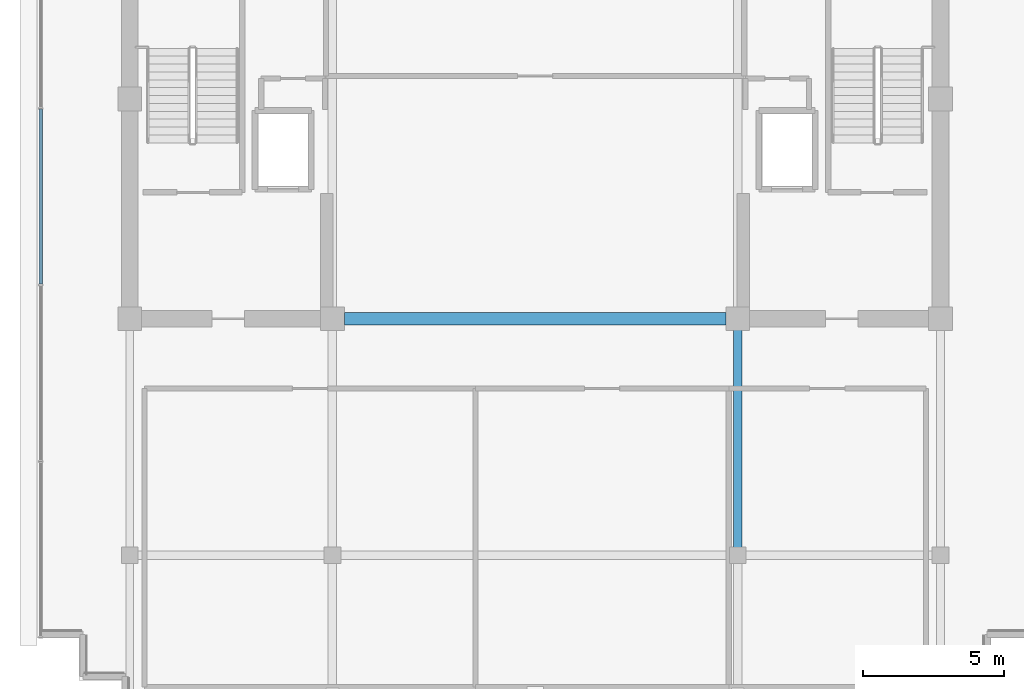
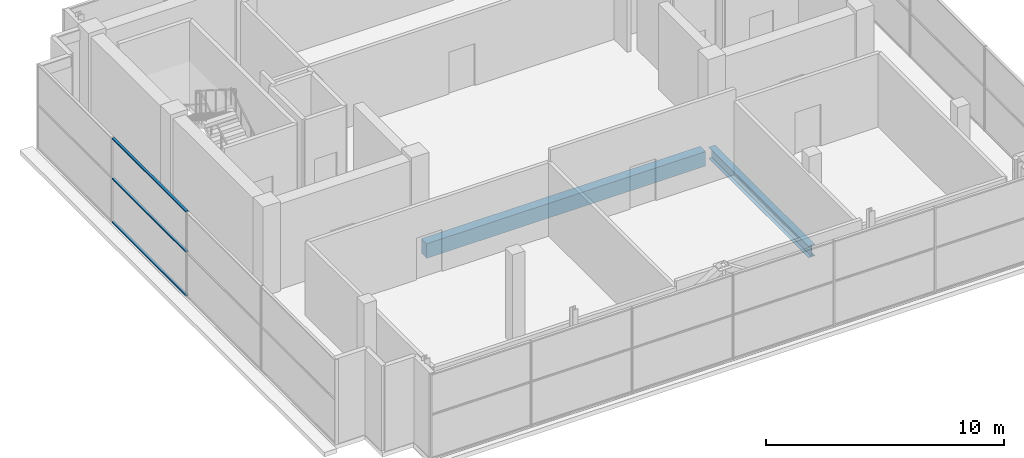
# One storey, part 12 of 27: 3 members, 2 beams, 1 element without a shape of its own.
"""IFC4 building model written with IfcOpenShell, lengths in metres."""

from ifc_helpers import new_model, si_unit, direction, frame, origin, origin_2d, place, context, subcontext, project, spatial, rectangle, hollow_rectangle, i_section, extrude, source, transform, mapped, material, layer, layer_set, material_profile, profile_set, type_object, element, aggregate, save


model = new_model("IFC4")

# Units and contexts
model_context = context("Model", 3, precision=1e-05, world=origin(), true_north=direction((0.0, 1.0)))
body_context = subcontext(model_context, "Body", "Model", "MODEL_VIEW")
ifc_project = project(units=[si_unit("LENGTHUNIT", "METRE"), si_unit("AREAUNIT", "SQUARE_METRE"), si_unit("VOLUMEUNIT", "CUBIC_METRE"), si_unit("PLANEANGLEUNIT", "RADIAN"), si_unit("MASSUNIT", "GRAM", prefix="KILO")], contexts=[model_context])

# Site, building, storey
site_placement = place(None, origin())
site = spatial("IfcSite", under=ifc_project, at=site_placement, CompositionType="ELEMENT")
building_placement = place(site_placement, origin())
building = spatial("IfcBuilding", under=site, at=building_placement, Name="Zarnakvel Exchange Tower", CompositionType="ELEMENT")
storey_placement = place(building_placement, frame((0.0, 0.0, 294.60009765625)))
storey = spatial("IfcBuildingStorey", under=building, at=storey_placement, Name="Crown L82", CompositionType="ELEMENT", Elevation=294.60009765625)

# Beams
ifc_material_1 = material(Name="Concrete C50/60", Category="concrete")
ifc_material_profile_1 = material_profile(ifc_material_1, rectangle(XDim=0.449951171875, YDim=0.75, at=origin_2d()))
ifc_profile_set_1 = profile_set([ifc_material_profile_1], Name="Concrete C50/60")
beam_type_1 = type_object("IfcBeamType", Name="CB-03", PredefinedType="LINTEL", material=ifc_profile_set_1)
beam_1_placement = place(storey_placement, frame((-6.77490234375, -1.199951171875, -0.59521484375), z_axis=(1.0, 0.0, 0.0), x_axis=(0.0, 1.0, 0.0)))
element("IfcBeam", 1, at=beam_1_placement, inside=storey, type_object=beam_type_1, Name="Crown L82 Rear Core South Coupling Beam (CB-03)", PredefinedType="LINTEL", context=body_context, shape_type="SweptSolid", body=[
    extrude(rectangle(XDim=0.449951171875, YDim=0.75, at=origin_2d()), origin(), (0.0, 0.0, 1.0), 13.5498046875),
])
ifc_material_2 = material(Name="Steel S355", Category="steel")
ifc_material_profile_2 = material_profile(ifc_material_2, i_section(OverallWidth=0.300048828125, OverallDepth=0.60009765625, WebThickness=0.015380859375, FlangeThickness=0.030029296875, FilletRadius=0.027099609375, at=origin_2d()))
ifc_profile_set_2 = profile_set([ifc_material_profile_2], Name="Steel S355")
beam_type_2 = type_object("IfcBeamType", Name="G-04", PredefinedType="BEAM", material=ifc_profile_set_2)
beam_2_placement = place(storey_placement, frame((7.199951171875, -9.60009765625, -0.52001953125), z_axis=(0.0, 1.0, 0.0), x_axis=(-1.0, 0.0, 0.0)))
element("IfcBeam", 2, at=beam_2_placement, inside=storey, type_object=beam_type_2, Name="Crown L82 Tower N-S Frame Beam", PredefinedType="BEAM", context=body_context, shape_type="SweptSolid", body=[
    extrude(i_section(OverallWidth=0.300048828125, OverallDepth=0.60009765625, WebThickness=0.015380859375, FlangeThickness=0.030029296875, FilletRadius=0.027099609375, at=origin_2d()), origin(), (0.0, 0.0, 1.0), 8.400146484375),
])

# Curtain wall, members
ifc_material_3 = material(Name="Architectural Bronze Anodised Aluminium", Category="aluminium")
ifc_layer = layer(ifc_material_3, 0.14990234375)
ifc_layer_set = layer_set([ifc_layer], Name="Architectural Bronze Anodised Aluminium")
curtain_wall_type = type_object("IfcCurtainWallType", Name="CW-07", PredefinedType="NOTDEFINED", material=ifc_layer_set)
curtain_wall_placement = place(storey_placement, origin())
curtain_wall = element("IfcCurtainWall", 3, at=curtain_wall_placement, inside=storey, type_object=curtain_wall_type, Name="Crown L82 Curtain Wall CW-Crown L82-W (CW-07)", PredefinedType="NOTDEFINED")
ifc_material_profile_3 = material_profile(ifc_material_3, hollow_rectangle(XDim=0.1201171875, YDim=0.06005859375, WallThickness=0.00390625, at=origin_2d()))
ifc_profile_set_3 = profile_set([ifc_material_profile_3], Name="Architectural Bronze Anodised Aluminium")
member_type = type_object("IfcMemberType", Name="CWT-07", PredefinedType="USERDEFINED", material=ifc_profile_set_3)
shared_shape = source(origin(), body_context, "Body", "SweptSolid", [
    extrude(hollow_rectangle(XDim=0.1201171875, YDim=0.06005859375, WallThickness=0.00390625, at=origin_2d()), origin(), (0.0, 0.0, 1.0), 6.215087890625),
])
member_1_placement = place(storey_placement, frame((-17.56005859375, 0.030029296875, 0.02978515625), z_axis=(0.0, 1.0, 0.0), x_axis=(-1.0, 0.0, 0.0)))
member_1 = element("IfcMember", 4, at=member_1_placement, type_object=member_type, Name="CW-07 transom 3.1", ObjectType="TRANSOM", PredefinedType="USERDEFINED", context=body_context, shape_type="MappedRepresentation", body=[
    mapped(shared_shape, transform((0.0, 0.0, 0.0), x_axis=(1.0, 0.0, 0.0), y_axis=(0.0, 1.0, 0.0), z_axis=(0.0, 0.0, 1.0), scale=1.0)),
])
member_2_placement = place(storey_placement, frame((-17.56005859375, 0.030029296875, 2.26708984375), z_axis=(0.0, 1.0, 0.0), x_axis=(-1.0, 0.0, 0.0)))
member_2 = element("IfcMember", 5, at=member_2_placement, type_object=member_type, Name="CW-07 transom 3.2", ObjectType="TRANSOM", PredefinedType="USERDEFINED", context=body_context, shape_type="MappedRepresentation", body=[
    mapped(shared_shape, transform((0.0, 0.0, 0.0), x_axis=(1.0, 0.0, 0.0), y_axis=(0.0, 1.0, 0.0), z_axis=(0.0, 0.0, 1.0), scale=1.0)),
])
member_3_placement = place(storey_placement, frame((-17.56005859375, 0.030029296875, 4.329833984375), z_axis=(0.0, 1.0, 0.0), x_axis=(-1.0, 0.0, 0.0)))
member_3 = element("IfcMember", 6, at=member_3_placement, type_object=member_type, Name="CW-07 transom 3.3", ObjectType="TRANSOM", PredefinedType="USERDEFINED", context=body_context, shape_type="MappedRepresentation", body=[
    mapped(shared_shape, transform((0.0, 0.0, 0.0), x_axis=(1.0, 0.0, 0.0), y_axis=(0.0, 1.0, 0.0), z_axis=(0.0, 0.0, 1.0), scale=1.0)),
])
aggregate(curtain_wall, [member_1, member_2, member_3])

save(model, "model.ifc")
